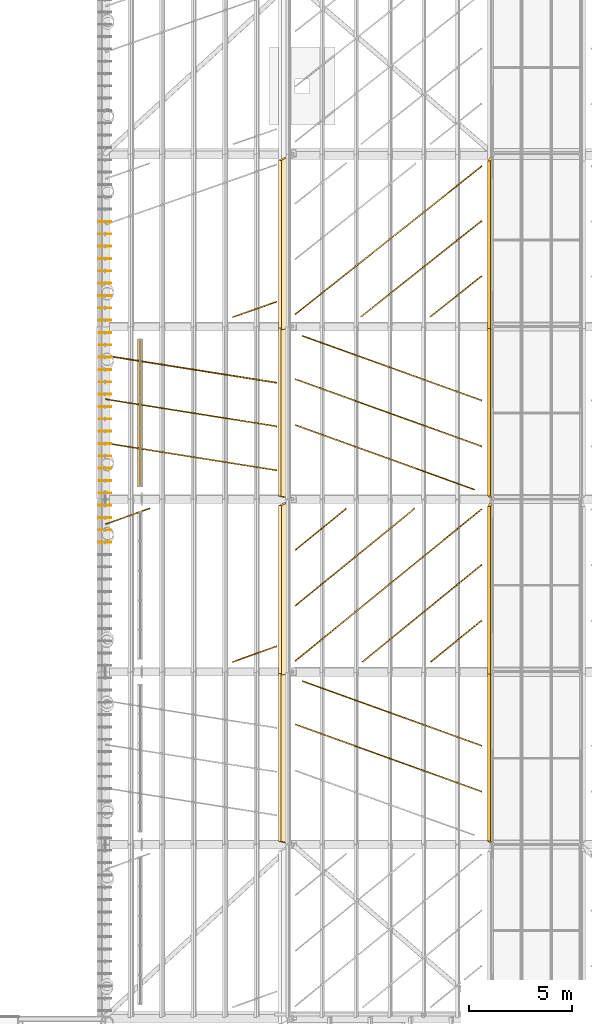
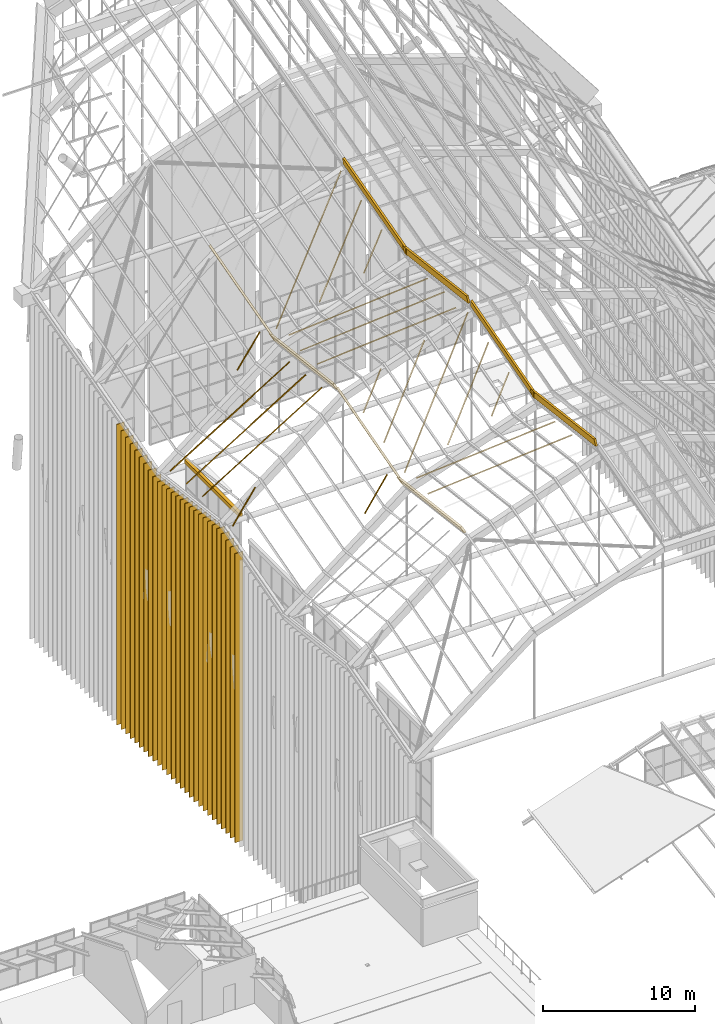
# One storey, part 102 of 126: 28 coverings, 27 shading devices.
"""IFC4 building model written with IfcOpenShell, lengths in metres."""

from ifc_helpers import new_model, si_unit, direction, frame, origin, origin_2d, place, context, subcontext, project, spatial, polyline, rectangle, outline, extrude, material, layer, layer_set, material_profile, profile_set, type_object, element, save


model = new_model("IFC4")

# Units and contexts
model_context = context("Model", 3, precision=1e-05, world=origin(), true_north=direction((0.0, 1.0)))
body_context = subcontext(model_context, "Body", "Model", "MODEL_VIEW")
ifc_project = project(units=[si_unit("LENGTHUNIT", "METRE"), si_unit("AREAUNIT", "SQUARE_METRE"), si_unit("VOLUMEUNIT", "CUBIC_METRE"), si_unit("PLANEANGLEUNIT", "RADIAN"), si_unit("MASSUNIT", "GRAM", prefix="KILO")], contexts=[model_context])

# Site, building, storey
site_placement = place(None, origin())
site = spatial("IfcSite", under=ifc_project, at=site_placement, CompositionType="ELEMENT")
building_placement = place(site_placement, origin())
building = spatial("IfcBuilding", under=site, at=building_placement, Name="Sava Quay Ferry Terminal", CompositionType="ELEMENT")
storey_placement = place(building_placement, frame((0.0, 0.0, 15.0)))
storey = spatial("IfcBuildingStorey", under=building, at=storey_placement, Name="L03", CompositionType="ELEMENT", Elevation=15.0)

# Coverings
ifc_material_1 = material(Name="Copper patinated")
ifc_layer_1 = layer(ifc_material_1, 0.25)
ifc_layer_set_1 = layer_set([ifc_layer_1], Name="Copper patinated")
covering_type_1 = type_object("IfcCoveringType", Name="Copper spandrel panel 250", PredefinedType="CLADDING", material=ifc_layer_set_1)
covering_1_placement = place(storey_placement, frame((43.699951171875, 76.199951171875, 11.75), z_axis=(0.0, 0.0, 1.0), x_axis=(0.0, 1.0, 0.0)))
element("IfcCovering", 1, at=covering_1_placement, inside=storey, type_object=covering_type_1, Name="Spandrel panel D-W", PredefinedType="CLADDING", context=body_context, shape_type="SweptSolid", body=[
    extrude(outline(polyline([(0.0, 0.0), (7.199951171875, 0.0), (7.199951171875, 0.302734375), (0.0, 0.302734375), (0.0, 0.0)])), frame((0.0, 0.125, 0.0), z_axis=(0.0, -1.0, 0.0), x_axis=(1.0, 0.0, 0.0)), (0.0, 0.0, 1.0), 0.25),
])
ifc_material_2 = material(Name="Steel S355", Category="steel")
ifc_material_profile_1 = material_profile(ifc_material_2, rectangle(XDim=0.14990234375, YDim=0.60009765625, at=origin_2d()), Name="Cap 150 x 600")
ifc_profile_set_1 = profile_set([ifc_material_profile_1], Name="Steel S355")
covering_type_2 = type_object("IfcCoveringType", Name="Crease capping 150x600", PredefinedType="MOLDING", material=ifc_profile_set_1)
covering_2_placement = place(storey_placement, frame((50.647216796875, 58.910400390625, 18.779052734375), z_axis=(0.0, 0.992379601397, -0.123218207788), x_axis=(-0.880257827598, -0.058466508152, -0.4708798407)))
element("IfcCovering", 2, at=covering_2_placement, inside=storey, type_object=covering_type_2, Name="Departure hall crease capping bay 2 crease 1", PredefinedType="MOLDING", context=body_context, shape_type="SweptSolid", body=[
    extrude(rectangle(XDim=0.14990234375, YDim=0.60009765625, at=origin_2d()), origin(), (0.0, 0.0, 1.0), 8.46435546875),
])
covering_3_placement = place(storey_placement, frame((60.733154296875, 58.923583984375, 22.25048828125), z_axis=(0.0, 0.992376512177, -0.123243085318), x_axis=(-0.986478668853, -0.020198273081, -0.162640295321)))
element("IfcCovering", 3, at=covering_3_placement, inside=storey, type_object=covering_type_2, Name="Departure hall crease capping bay 2 crease 2", PredefinedType="MOLDING", context=body_context, shape_type="SweptSolid", body=[
    extrude(rectangle(XDim=0.14990234375, YDim=0.60009765625, at=origin_2d()), origin(), (0.0, 0.0, 1.0), 8.464599609375),
])
covering_4_placement = place(storey_placement, frame((50.657958984375, 66.95654296875, 17.71484375), z_axis=(0.0, 0.962816232955, 0.270157179357), x_axis=(-0.885826064608, 0.125357642366, -0.446763522192)))
element("IfcCovering", 4, at=covering_4_placement, inside=storey, type_object=covering_type_2, Name="Departure hall crease capping bay 3 crease 1", PredefinedType="MOLDING", context=body_context, shape_type="SweptSolid", body=[
    extrude(rectangle(XDim=0.14990234375, YDim=0.60009765625, at=origin_2d()), origin(), (0.0, 0.0, 1.0), 8.724365234375),
])
covering_5_placement = place(storey_placement, frame((60.73779296875, 66.9287109375, 21.177978515625), z_axis=(0.0, 0.962818275279, 0.270149900588), x_axis=(-0.987217634461, 0.043055946895, -0.15345203696)))
element("IfcCovering", 5, at=covering_5_placement, inside=storey, type_object=covering_type_2, Name="Departure hall crease capping bay 3 crease 2", PredefinedType="MOLDING", context=body_context, shape_type="SweptSolid", body=[
    extrude(rectangle(XDim=0.14990234375, YDim=0.60009765625, at=origin_2d()), origin(), (0.0, 0.0, 1.0), 8.724609375),
])
covering_6_placement = place(storey_placement, frame((50.647216796875, 75.710205078125, 20.093017578125), z_axis=(0.0, 0.992394139896, -0.123101060513), x_axis=(-0.880255099686, -0.058411545244, -0.470891761299)))
element("IfcCovering", 6, at=covering_6_placement, inside=storey, type_object=covering_type_2, Name="Departure hall crease capping bay 4 crease 1", PredefinedType="MOLDING", context=body_context, shape_type="SweptSolid", body=[
    extrude(rectangle(XDim=0.14990234375, YDim=0.60009765625, at=origin_2d()), origin(), (0.0, 0.0, 1.0), 8.464599609375),
])
covering_7_placement = place(storey_placement, frame((60.733154296875, 75.7236328125, 23.564453125), z_axis=(0.0, 0.992393702798, -0.123104584187), x_axis=(-0.986478304019, -0.020175844507, -0.162645291964)))
element("IfcCovering", 7, at=covering_7_placement, inside=storey, type_object=covering_type_2, Name="Departure hall crease capping bay 4 crease 2", PredefinedType="MOLDING", context=body_context, shape_type="SweptSolid", body=[
    extrude(rectangle(XDim=0.14990234375, YDim=0.60009765625, at=origin_2d()), origin(), (0.0, 0.0, 1.0), 8.46435546875),
])
covering_8_placement = place(storey_placement, frame((50.6572265625, 83.76220703125, 19.031005859375), z_axis=(0.0, 0.964555206992, 0.26388113359), x_axis=(-0.885499005285, 0.122610065566, -0.448172158284)))
element("IfcCovering", 8, at=covering_8_placement, inside=storey, type_object=covering_type_2, Name="Departure hall crease capping bay 5 crease 1", PredefinedType="MOLDING", context=body_context, shape_type="SweptSolid", body=[
    extrude(rectangle(XDim=0.14990234375, YDim=0.60009765625, at=origin_2d()), origin(), (0.0, 0.0, 1.0), 8.708740234375),
])
covering_9_placement = place(storey_placement, frame((60.737548828125, 83.735107421875, 22.49462890625), z_axis=(0.0, 0.964553254836, 0.263888269132), x_axis=(-0.987174546341, 0.042128351011, -0.153985769138)))
element("IfcCovering", 9, at=covering_9_placement, inside=storey, type_object=covering_type_2, Name="Departure hall crease capping bay 5 crease 2", PredefinedType="MOLDING", context=body_context, shape_type="SweptSolid", body=[
    extrude(rectangle(XDim=0.14990234375, YDim=0.60009765625, at=origin_2d()), origin(), (0.0, 0.0, 1.0), 8.70849609375),
])
ifc_material_3 = material(Name="Zinc standing seam")
ifc_layer_2 = layer(ifc_material_3, 0.0400390625)
ifc_layer_set_2 = layer_set([ifc_layer_2], Name="Zinc standing seam")
covering_type_3 = type_object("IfcCoveringType", Name="Roof seam rib 60", PredefinedType="ROOFING", material=ifc_layer_set_2)
covering_10_placement = place(storey_placement, frame((51.258056640625, 64.664306640625, 18.004638671875), z_axis=(-0.323484138608, 0.116230231621, 0.939067913053), x_axis=(0.883392007867, -0.318539227373, 0.343731466499)))
element("IfcCovering", 10, at=covering_10_placement, inside=storey, type_object=covering_type_3, Name="Roof seam rib", PredefinedType="ROOFING", context=body_context, shape_type="SweptSolid", body=[
    extrude(outline(polyline([(0.0, 0.0), (10.272570897672582, 1.734723475976807e-16), (10.272634624447512, -0.05992641977137874), (6.372677493191731e-05, -0.05992641977137832), (0.0, 0.0)])), origin(), (0.0, 0.0, -1.0), 0.0400390625),
])
covering_11_placement = place(storey_placement, frame((51.614501953125, 66.768310546875, 17.8662109375), z_axis=(-0.323484868138, 0.116230493747, 0.939067629305), x_axis=(0.883388140448, -0.318549120262, 0.343732237791)))
element("IfcCovering", 11, at=covering_11_placement, inside=storey, type_object=covering_type_3, Name="Roof seam rib", PredefinedType="ROOFING", context=body_context, shape_type="SweptSolid", body=[
    extrude(outline(polyline([(0.0, 0.0), (9.869117910425805, 8.760353553682876e-17), (9.869182273493013, -0.059926419091355675), (6.43630672099195e-05, -0.05992641909135624), (0.0, 0.0)])), origin(), (0.0, 0.0, -1.0), 0.0400390625),
])
for number, where, z_axis, x_axis, name in (
    (12, (48.186767578125, 67.688232421875, 15.6591796875), (-0.60113236674, -0.215991283288, 0.769407332433), (0.724124379374, 0.26006063106, 0.638758445242), "Roof seam rib"),
    (13, (42.02099609375, 74.399169921875, 12.72509765625), (-0.60113236674, -0.215991283288, 0.769407332433), (0.724124379374, 0.26006063106, 0.638758445242), "Roof seam rib"),
):
    element("IfcCovering", number, at=place(storey_placement, frame(where, z_axis=z_axis, x_axis=x_axis)), inside=storey, type_object=covering_type_3, Name=name, PredefinedType="ROOFING", context=body_context, shape_type="SweptSolid", body=[
        extrude(outline(polyline([(0.0, 0.0), (2.9571679712332175, 8.649222831003112e-17), (2.957174884737407, -0.05992645325664395), (6.913504189427072e-06, -0.059926453256644044), (0.0, 0.0)])), origin(), (0.0, 0.0, -1.0), 0.0400390625),
    ])
covering_12_placement = place(storey_placement, frame((57.830810546875, 67.683349609375, 20.110595703125), z_axis=(-0.314106095751, -0.257220739828, 0.913879013664), x_axis=(0.708466258121, 0.577279163236, 0.405985626344)))
element("IfcCovering", 14, at=covering_12_placement, inside=storey, type_object=covering_type_3, Name="Roof seam rib", PredefinedType="ROOFING", context=body_context, shape_type="SweptSolid", body=[
    extrude(outline(polyline([(0.0, 0.0), (3.4949922497935186, -1.0842021724855044e-17), (3.4951967652358884, -0.06001852629964467), (6.35781466575662e-05, -0.06020772918177522), (0.0, 0.0)])), origin(), (0.0, 0.0, -1.0), 0.0400390625),
])
covering_13_placement = place(storey_placement, frame((54.506591796875, 67.683349609375, 18.966064453125), z_axis=(-0.314467945274, -0.256691682363, 0.913903327273), x_axis=(0.708466073823, 0.577317252194, 0.405931783136)))
element("IfcCovering", 15, at=covering_13_placement, inside=storey, type_object=covering_type_3, Name="Roof seam rib", PredefinedType="ROOFING", context=body_context, shape_type="SweptSolid", body=[
    extrude(outline(polyline([(0.0, 0.0), (8.187145592824745, 1.1505553454416173e-15), (8.187348334426195, -0.060018500034424174), (-0.00011117034337634543, -0.06005348796554834), (0.0, 0.0)])), origin(), (0.0, 0.0, -1.0), 0.0400390625),
])
covering_14_placement = place(storey_placement, frame((51.23681640625, 67.7275390625, 17.8525390625), z_axis=(-0.314478059046, -0.256699937962, 0.913897528298), x_axis=(0.708449749721, 0.577328100429, 0.405944844252)))
element("IfcCovering", 16, at=covering_14_placement, inside=storey, type_object=covering_type_3, Name="Roof seam rib", PredefinedType="ROOFING", context=body_context, shape_type="SweptSolid", body=[
    extrude(outline(polyline([(0.0, 0.0), (12.802729183794655, -6.880346986593011e-16), (12.802930800463336, -0.060018503821284395), (-0.00011229393926579304, -0.06005348587244559), (0.0, 0.0)])), origin(), (0.0, 0.0, -1.0), 0.0400390625),
])
covering_15_placement = place(storey_placement, frame((51.23681640625, 70.4365234375, 18.61279296875), z_axis=(-0.315201891408, -0.255792110828, 0.913902710189), x_axis=(0.708451199219, 0.577334946884, 0.405932577446)))
element("IfcCovering", 17, at=covering_15_placement, inside=storey, type_object=covering_type_3, Name="Roof seam rib", PredefinedType="ROOFING", context=body_context, shape_type="SweptSolid", body=[
    extrude(outline(polyline([(0.0, 0.0), (8.187286541609563, -6.808789643208968e-16), (8.18717398326582, -0.0600535258531847), (-0.00011255834374292867, -0.060053525853184006), (0.0, 0.0)])), origin(), (0.0, 0.0, -1.0), 0.0400390625),
])
covering_16_placement = place(storey_placement, frame((51.23681640625, 73.1455078125, 19.372802734375), z_axis=(-0.314884504303, -0.256205239722, 0.913896396803), x_axis=(0.70841734229, 0.577366075623, 0.405947390511)))
element("IfcCovering", 18, at=covering_16_placement, inside=storey, type_object=covering_type_3, Name="Roof seam rib", PredefinedType="ROOFING", context=body_context, shape_type="SweptSolid", body=[
    extrude(outline(polyline([(0.0, 0.0), (3.4948611253527404, -4.36879265403034e-16), (3.4947458342421354, -0.0600535125251691), (2.566740395125444e-05, -0.05986424333586581), (0.0, 0.0)])), origin(), (0.0, 0.0, -1.0), 0.0400390625),
])
covering_17_placement = place(storey_placement, frame((42.027587890625, 78.36279296875, 12.7060546875), z_axis=(-0.612708018485, 0.097476275668, 0.78427498989), x_axis=(0.774571758892, -0.122987282777, 0.620413344958)))
element("IfcCovering", 19, at=covering_17_placement, inside=storey, type_object=covering_type_3, Name="Roof seam rib", PredefinedType="ROOFING", context=body_context, shape_type="SweptSolid", body=[
    extrude(outline(polyline([(0.0, 0.0), (10.725491755517275, 0.0), (10.7255721255354, -0.059805881569292785), (-0.00010873441519704003, -0.05984419490723178), (0.0, 0.0)])), origin(), (0.0, 0.0, -1.0), 0.0400390625),
])
covering_18_placement = place(storey_placement, frame((42.027587890625, 80.4892578125, 12.4423828125), z_axis=(-0.612770145315, 0.097084981871, 0.784274987046), x_axis=(0.774571759758, -0.122987280117, 0.620413344404)))
element("IfcCovering", 20, at=covering_18_placement, inside=storey, type_object=covering_type_3, Name="Roof seam rib", PredefinedType="ROOFING", context=body_context, shape_type="SweptSolid", body=[
    extrude(outline(polyline([(0.0, 0.0), (10.725491755517222, 7.37257477290143e-18), (10.725602151561585, -0.06004703151626244), (-7.870838917158757e-05, -0.060085285585065075), (0.0, 0.0)])), origin(), (0.0, 0.0, -1.0), 0.0400390625),
])
covering_19_placement = place(storey_placement, frame((42.027587890625, 82.615478515625, 12.1787109375), z_axis=(-0.612740013981, 0.097280373354, 0.78427431695), x_axis=(0.774571080919, -0.122987173739, 0.620414213005)))
element("IfcCovering", 21, at=covering_19_placement, inside=storey, type_object=covering_type_3, Name="Roof seam rib", PredefinedType="ROOFING", context=body_context, shape_type="SweptSolid", body=[
    extrude(outline(polyline([(0.0, 0.0), (10.725491755593486, -1.2118669782956726e-16), (10.725572125459186, -0.059805895237409985), (-7.870823663930215e-05, -0.06008529919906046), (0.0, 0.0)])), origin(), (0.0, 0.0, -1.0), 0.0400390625),
])
covering_20_placement = place(storey_placement, frame((51.258056640625, 79.230712890625, 19.596435546875), z_axis=(-0.323465862055, 0.116223664721, 0.939075021414), x_axis=(0.883488541096, -0.318292269613, 0.343712130797)))
element("IfcCovering", 22, at=covering_20_placement, inside=storey, type_object=covering_type_3, Name="Roof seam rib", PredefinedType="ROOFING", context=body_context, shape_type="SweptSolid", body=[
    extrude(outline(polyline([(0.0, 0.0), (9.873246776696483, 2.3310346708438345e-17), (9.87329461980428, -0.05992643455733313), (4.784310779710685e-05, -0.059926434557333055), (0.0, 0.0)])), origin(), (0.0, 0.0, -1.0), 0.0400390625),
])
covering_21_placement = place(storey_placement, frame((51.258056640625, 81.462890625, 19.319580078125), z_axis=(-0.323454258751, 0.116219495569, 0.939079534089), x_axis=(0.883493889663, -0.318290736521, 0.343699802113)))
element("IfcCovering", 23, at=covering_21_placement, inside=storey, type_object=covering_type_3, Name="Roof seam rib", PredefinedType="ROOFING", context=body_context, shape_type="SweptSolid", body=[
    extrude(outline(polyline([(0.0, 0.0), (10.271386296409156, 4.550396517921662e-16), (10.27143394467436, -0.05992643471257118), (4.7648265202704376e-05, -0.05992643471257162), (0.0, 0.0)])), origin(), (0.0, 0.0, -1.0), 0.0400390625),
])
covering_22_placement = place(storey_placement, frame((51.60986328125, 83.568115234375, 19.1796875), z_axis=(-0.323447879804, 0.116217203566, 0.939082014866), x_axis=(0.883503003361, -0.318272752001, 0.343693029296)))
element("IfcCovering", 24, at=covering_22_placement, inside=storey, type_object=covering_type_3, Name="Roof seam rib", PredefinedType="ROOFING", context=body_context, shape_type="SweptSolid", body=[
    extrude(outline(polyline([(0.0, 0.0), (9.873085159242624, 1.7683337433238577e-16), (9.873131608567178, -0.05992643565387095), (4.6449324553082816e-05, -0.059926435653870944), (0.0, 0.0)])), origin(), (0.0, 0.0, -1.0), 0.0400390625),
])
covering_23_placement = place(storey_placement, frame((48.2021484375, 84.48828125, 16.981689453125), z_axis=(-0.602037155286, -0.210194006802, 0.770304967633), x_axis=(0.727018544127, 0.254585912604, 0.637675504939)))
element("IfcCovering", 25, at=covering_23_placement, inside=storey, type_object=covering_type_3, Name="Roof seam rib", PredefinedType="ROOFING", context=body_context, shape_type="SweptSolid", body=[
    extrude(outline(polyline([(0.0, 0.0), (2.9239039898587773, 1.919037845299343e-17), (2.923861160354421, -0.05999353832201857), (-4.2829504356996576e-05, -0.05999353832201865), (0.0, 0.0)])), origin(), (0.0, 0.0, -1.0), 0.0400390625),
])
covering_24_placement = place(storey_placement, frame((57.816162109375, 84.4833984375, 21.416015625), z_axis=(-0.31515429108, -0.250486267716, 0.915387569557), x_axis=(0.716691945827, 0.569462079601, 0.402573713354)))
element("IfcCovering", 26, at=covering_24_placement, inside=storey, type_object=covering_type_3, Name="Roof seam rib", PredefinedType="ROOFING", context=body_context, shape_type="SweptSolid", body=[
    extrude(outline(polyline([(0.0, 0.0), (3.475631580524171, -1.1142887827719772e-16), (3.4755699805115903, -0.06012897648617532), (7.742881544747088e-05, -0.05993783299700268), (0.0, 0.0)])), origin(), (0.0, 0.0, -1.0), 0.0400390625),
])
covering_25_placement = place(storey_placement, frame((54.440185546875, 84.4833984375, 20.253662109375), z_axis=(-0.315135144881, -0.250471050217, 0.915398325028), x_axis=(0.716719499255, 0.569444691902, 0.402549254443)))
element("IfcCovering", 27, at=covering_25_placement, inside=storey, type_object=covering_type_3, Name="Roof seam rib", PredefinedType="ROOFING", context=body_context, shape_type="SweptSolid", body=[
    extrude(outline(polyline([(0.0, 0.0), (8.185815692454504, -6.540178554975684e-16), (8.185755940952813, -0.060128978352440784), (7.927308129259888e-05, -0.05993783058711938), (0.0, 0.0)])), origin(), (0.0, 0.0, -1.0), 0.0400390625),
])
covering_26_placement = place(storey_placement, frame((51.236572265625, 84.6201171875, 19.187744140625), z_axis=(-0.315555588115, -0.249985595779, 0.915386187744), x_axis=(0.716706647864, 0.569441593441, 0.402576517654)))
element("IfcCovering", 28, at=covering_26_placement, inside=storey, type_object=covering_type_3, Name="Roof seam rib", PredefinedType="ROOFING", context=body_context, shape_type="SweptSolid", body=[
    extrude(outline(polyline([(0.0, 0.0), (12.655888142531838, -7.238133703513228e-16), (12.655828056982298, -0.06012898526040528), (-9.603893196886981e-05, -0.05978596867449555), (0.0, 0.0)])), origin(), (0.0, 0.0, -1.0), 0.0400390625),
])

# Shading devices
ifc_material_4 = material(Name="Aluminium bronze anodised", Category="aluminium")
ifc_material_profile_2 = material_profile(ifc_material_4, rectangle(XDim=0.0400390625, YDim=0.60009765625, at=origin_2d()), Name="Vertical brise-soleil blade 40x600")
ifc_profile_set_2 = profile_set([ifc_material_profile_2], Name="Aluminium bronze anodised")
shading_device_type = type_object("IfcShadingDeviceType", Name="Vertical brise-soleil blade 40x600", PredefinedType="USERDEFINED", material=ifc_profile_set_2)
shading_device_1_placement = place(storey_placement, frame((42.0, 73.5, -12.10009765625), z_axis=(0.0, 0.0, 1.0), x_axis=(0.0, 1.0, 0.0)))
element("IfcShadingDevice", 29, at=shading_device_1_placement, inside=storey, type_object=shading_device_type, Name="Brise-soleil blade D-W 39", ObjectType="BRISE-SOLEIL BLADE", PredefinedType="USERDEFINED", context=body_context, shape_type="SweptSolid", body=[
    extrude(rectangle(XDim=0.0400390625, YDim=0.60009765625, at=origin_2d()), origin(), (0.0, 0.0, 1.0), 23.2333984375),
])
shading_device_2_placement = place(storey_placement, frame((42.0, 74.10009765625, -12.10009765625), z_axis=(0.0, 0.0, 1.0), x_axis=(0.0, 1.0, 0.0)))
element("IfcShadingDevice", 30, at=shading_device_2_placement, inside=storey, type_object=shading_device_type, Name="Brise-soleil blade D-W 40", ObjectType="BRISE-SOLEIL BLADE", PredefinedType="USERDEFINED", context=body_context, shape_type="SweptSolid", body=[
    extrude(rectangle(XDim=0.0400390625, YDim=0.60009765625, at=origin_2d()), origin(), (0.0, 0.0, 1.0), 23.401611328125),
])
shading_device_3_placement = place(storey_placement, frame((42.0, 74.699951171875, -12.10009765625), z_axis=(0.0, 0.0, 1.0), x_axis=(0.0, 1.0, 0.0)))
element("IfcShadingDevice", 31, at=shading_device_3_placement, inside=storey, type_object=shading_device_type, Name="Brise-soleil blade D-W 41", ObjectType="BRISE-SOLEIL BLADE", PredefinedType="USERDEFINED", context=body_context, shape_type="SweptSolid", body=[
    extrude(rectangle(XDim=0.0400390625, YDim=0.60009765625, at=origin_2d()), origin(), (0.0, 0.0, 1.0), 23.570068359375),
])
shading_device_4_placement = place(storey_placement, frame((42.0, 75.300048828125, -12.10009765625), z_axis=(0.0, 0.0, 1.0), x_axis=(0.0, 1.0, 0.0)))
element("IfcShadingDevice", 32, at=shading_device_4_placement, inside=storey, type_object=shading_device_type, Name="Brise-soleil blade D-W 42", ObjectType="BRISE-SOLEIL BLADE", PredefinedType="USERDEFINED", context=body_context, shape_type="SweptSolid", body=[
    extrude(rectangle(XDim=0.0400390625, YDim=0.60009765625, at=origin_2d()), origin(), (0.0, 0.0, 1.0), 23.738525390625),
])
shading_device_5_placement = place(storey_placement, frame((42.0, 75.89990234375, -12.10009765625), z_axis=(0.0, 0.0, 1.0), x_axis=(0.0, 1.0, 0.0)))
element("IfcShadingDevice", 33, at=shading_device_5_placement, inside=storey, type_object=shading_device_type, Name="Brise-soleil blade D-W 43", ObjectType="BRISE-SOLEIL BLADE", PredefinedType="USERDEFINED", context=body_context, shape_type="SweptSolid", body=[
    extrude(rectangle(XDim=0.0400390625, YDim=0.60009765625, at=origin_2d()), origin(), (0.0, 0.0, 1.0), 23.785400390625),
])
shading_device_6_placement = place(storey_placement, frame((42.0, 76.5, -12.10009765625), z_axis=(0.0, 0.0, 1.0), x_axis=(0.0, 1.0, 0.0)))
element("IfcShadingDevice", 34, at=shading_device_6_placement, inside=storey, type_object=shading_device_type, Name="Brise-soleil blade D-W 44", ObjectType="BRISE-SOLEIL BLADE", PredefinedType="USERDEFINED", context=body_context, shape_type="SweptSolid", body=[
    extrude(rectangle(XDim=0.0400390625, YDim=0.60009765625, at=origin_2d()), origin(), (0.0, 0.0, 1.0), 23.7109375),
])
shading_device_7_placement = place(storey_placement, frame((42.0, 77.10009765625, -12.10009765625), z_axis=(0.0, 0.0, 1.0), x_axis=(0.0, 1.0, 0.0)))
element("IfcShadingDevice", 35, at=shading_device_7_placement, inside=storey, type_object=shading_device_type, Name="Brise-soleil blade D-W 45", ObjectType="BRISE-SOLEIL BLADE", PredefinedType="USERDEFINED", context=body_context, shape_type="SweptSolid", body=[
    extrude(rectangle(XDim=0.0400390625, YDim=0.60009765625, at=origin_2d()), origin(), (0.0, 0.0, 1.0), 23.636474609375),
])
shading_device_8_placement = place(storey_placement, frame((42.0, 77.699951171875, -12.10009765625), z_axis=(0.0, 0.0, 1.0), x_axis=(0.0, 1.0, 0.0)))
element("IfcShadingDevice", 36, at=shading_device_8_placement, inside=storey, type_object=shading_device_type, Name="Brise-soleil blade D-W 46", ObjectType="BRISE-SOLEIL BLADE", PredefinedType="USERDEFINED", context=body_context, shape_type="SweptSolid", body=[
    extrude(rectangle(XDim=0.0400390625, YDim=0.60009765625, at=origin_2d()), origin(), (0.0, 0.0, 1.0), 23.56201171875),
])
shading_device_9_placement = place(storey_placement, frame((42.0, 78.300048828125, -12.10009765625), z_axis=(0.0, 0.0, 1.0), x_axis=(0.0, 1.0, 0.0)))
element("IfcShadingDevice", 37, at=shading_device_9_placement, inside=storey, type_object=shading_device_type, Name="Brise-soleil blade D-W 47", ObjectType="BRISE-SOLEIL BLADE", PredefinedType="USERDEFINED", context=body_context, shape_type="SweptSolid", body=[
    extrude(rectangle(XDim=0.0400390625, YDim=0.60009765625, at=origin_2d()), origin(), (0.0, 0.0, 1.0), 23.487548828125),
])
shading_device_10_placement = place(storey_placement, frame((42.0, 78.89990234375, -12.10009765625), z_axis=(0.0, 0.0, 1.0), x_axis=(0.0, 1.0, 0.0)))
element("IfcShadingDevice", 38, at=shading_device_10_placement, inside=storey, type_object=shading_device_type, Name="Brise-soleil blade D-W 48", ObjectType="BRISE-SOLEIL BLADE", PredefinedType="USERDEFINED", context=body_context, shape_type="SweptSolid", body=[
    extrude(rectangle(XDim=0.0400390625, YDim=0.60009765625, at=origin_2d()), origin(), (0.0, 0.0, 1.0), 23.413330078125),
])
shading_device_11_placement = place(storey_placement, frame((42.0, 79.5, -12.10009765625), z_axis=(0.0, 0.0, 1.0), x_axis=(0.0, 1.0, 0.0)))
element("IfcShadingDevice", 39, at=shading_device_11_placement, inside=storey, type_object=shading_device_type, Name="Brise-soleil blade D-W 49", ObjectType="BRISE-SOLEIL BLADE", PredefinedType="USERDEFINED", context=body_context, shape_type="SweptSolid", body=[
    extrude(rectangle(XDim=0.0400390625, YDim=0.60009765625, at=origin_2d()), origin(), (0.0, 0.0, 1.0), 23.3388671875),
])
shading_device_12_placement = place(storey_placement, frame((42.0, 80.10009765625, -12.10009765625), z_axis=(0.0, 0.0, 1.0), x_axis=(0.0, 1.0, 0.0)))
element("IfcShadingDevice", 40, at=shading_device_12_placement, inside=storey, type_object=shading_device_type, Name="Brise-soleil blade D-W 50", ObjectType="BRISE-SOLEIL BLADE", PredefinedType="USERDEFINED", context=body_context, shape_type="SweptSolid", body=[
    extrude(rectangle(XDim=0.0400390625, YDim=0.60009765625, at=origin_2d()), origin(), (0.0, 0.0, 1.0), 23.264404296875),
])
shading_device_13_placement = place(storey_placement, frame((42.0, 80.699951171875, -12.10009765625), z_axis=(0.0, 0.0, 1.0), x_axis=(0.0, 1.0, 0.0)))
element("IfcShadingDevice", 41, at=shading_device_13_placement, inside=storey, type_object=shading_device_type, Name="Brise-soleil blade D-W 51", ObjectType="BRISE-SOLEIL BLADE", PredefinedType="USERDEFINED", context=body_context, shape_type="SweptSolid", body=[
    extrude(rectangle(XDim=0.0400390625, YDim=0.60009765625, at=origin_2d()), origin(), (0.0, 0.0, 1.0), 23.18994140625),
])
shading_device_14_placement = place(storey_placement, frame((42.0, 81.300048828125, -12.10009765625), z_axis=(0.0, 0.0, 1.0), x_axis=(0.0, 1.0, 0.0)))
element("IfcShadingDevice", 42, at=shading_device_14_placement, inside=storey, type_object=shading_device_type, Name="Brise-soleil blade D-W 52", ObjectType="BRISE-SOLEIL BLADE", PredefinedType="USERDEFINED", context=body_context, shape_type="SweptSolid", body=[
    extrude(rectangle(XDim=0.0400390625, YDim=0.60009765625, at=origin_2d()), origin(), (0.0, 0.0, 1.0), 23.115478515625),
])
shading_device_15_placement = place(storey_placement, frame((42.0, 81.89990234375, -12.10009765625), z_axis=(0.0, 0.0, 1.0), x_axis=(0.0, 1.0, 0.0)))
element("IfcShadingDevice", 43, at=shading_device_15_placement, inside=storey, type_object=shading_device_type, Name="Brise-soleil blade D-W 53", ObjectType="BRISE-SOLEIL BLADE", PredefinedType="USERDEFINED", context=body_context, shape_type="SweptSolid", body=[
    extrude(rectangle(XDim=0.0400390625, YDim=0.60009765625, at=origin_2d()), origin(), (0.0, 0.0, 1.0), 23.041015625),
])
shading_device_16_placement = place(storey_placement, frame((42.0, 82.5, -12.10009765625), z_axis=(0.0, 0.0, 1.0), x_axis=(0.0, 1.0, 0.0)))
element("IfcShadingDevice", 44, at=shading_device_16_placement, inside=storey, type_object=shading_device_type, Name="Brise-soleil blade D-W 54", ObjectType="BRISE-SOLEIL BLADE", PredefinedType="USERDEFINED", context=body_context, shape_type="SweptSolid", body=[
    extrude(rectangle(XDim=0.0400390625, YDim=0.60009765625, at=origin_2d()), origin(), (0.0, 0.0, 1.0), 22.966552734375),
])
shading_device_17_placement = place(storey_placement, frame((42.0, 83.10009765625, -12.10009765625), z_axis=(0.0, 0.0, 1.0), x_axis=(0.0, 1.0, 0.0)))
element("IfcShadingDevice", 45, at=shading_device_17_placement, inside=storey, type_object=shading_device_type, Name="Brise-soleil blade D-W 55", ObjectType="BRISE-SOLEIL BLADE", PredefinedType="USERDEFINED", context=body_context, shape_type="SweptSolid", body=[
    extrude(rectangle(XDim=0.0400390625, YDim=0.60009765625, at=origin_2d()), origin(), (0.0, 0.0, 1.0), 22.892333984375),
])
shading_device_18_placement = place(storey_placement, frame((42.0, 83.699951171875, -12.10009765625), z_axis=(0.0, 0.0, 1.0), x_axis=(0.0, 1.0, 0.0)))
element("IfcShadingDevice", 46, at=shading_device_18_placement, inside=storey, type_object=shading_device_type, Name="Brise-soleil blade D-W 56", ObjectType="BRISE-SOLEIL BLADE", PredefinedType="USERDEFINED", context=body_context, shape_type="SweptSolid", body=[
    extrude(rectangle(XDim=0.0400390625, YDim=0.60009765625, at=origin_2d()), origin(), (0.0, 0.0, 1.0), 22.81787109375),
])
shading_device_19_placement = place(storey_placement, frame((42.0, 84.300048828125, -12.10009765625), z_axis=(0.0, 0.0, 1.0), x_axis=(0.0, 1.0, 0.0)))
element("IfcShadingDevice", 47, at=shading_device_19_placement, inside=storey, type_object=shading_device_type, Name="Brise-soleil blade D-W 57", ObjectType="BRISE-SOLEIL BLADE", PredefinedType="USERDEFINED", context=body_context, shape_type="SweptSolid", body=[
    extrude(rectangle(XDim=0.0400390625, YDim=0.60009765625, at=origin_2d()), origin(), (0.0, 0.0, 1.0), 22.862548828125),
])
shading_device_20_placement = place(storey_placement, frame((42.0, 84.89990234375, -12.10009765625), z_axis=(0.0, 0.0, 1.0), x_axis=(0.0, 1.0, 0.0)))
element("IfcShadingDevice", 48, at=shading_device_20_placement, inside=storey, type_object=shading_device_type, Name="Brise-soleil blade D-W 58", ObjectType="BRISE-SOLEIL BLADE", PredefinedType="USERDEFINED", context=body_context, shape_type="SweptSolid", body=[
    extrude(rectangle(XDim=0.0400390625, YDim=0.60009765625, at=origin_2d()), origin(), (0.0, 0.0, 1.0), 23.02685546875),
])
shading_device_21_placement = place(storey_placement, frame((42.0, 85.5, -12.10009765625), z_axis=(0.0, 0.0, 1.0), x_axis=(0.0, 1.0, 0.0)))
element("IfcShadingDevice", 49, at=shading_device_21_placement, inside=storey, type_object=shading_device_type, Name="Brise-soleil blade D-W 59", ObjectType="BRISE-SOLEIL BLADE", PredefinedType="USERDEFINED", context=body_context, shape_type="SweptSolid", body=[
    extrude(rectangle(XDim=0.0400390625, YDim=0.60009765625, at=origin_2d()), origin(), (0.0, 0.0, 1.0), 23.19091796875),
])
shading_device_22_placement = place(storey_placement, frame((42.0, 86.10009765625, -12.10009765625), z_axis=(0.0, 0.0, 1.0), x_axis=(0.0, 1.0, 0.0)))
element("IfcShadingDevice", 50, at=shading_device_22_placement, inside=storey, type_object=shading_device_type, Name="Brise-soleil blade D-W 60", ObjectType="BRISE-SOLEIL BLADE", PredefinedType="USERDEFINED", context=body_context, shape_type="SweptSolid", body=[
    extrude(rectangle(XDim=0.0400390625, YDim=0.60009765625, at=origin_2d()), origin(), (0.0, 0.0, 1.0), 23.35498046875),
])
shading_device_23_placement = place(storey_placement, frame((42.0, 86.699951171875, -12.10009765625), z_axis=(0.0, 0.0, 1.0), x_axis=(0.0, 1.0, 0.0)))
element("IfcShadingDevice", 51, at=shading_device_23_placement, inside=storey, type_object=shading_device_type, Name="Brise-soleil blade D-W 61", ObjectType="BRISE-SOLEIL BLADE", PredefinedType="USERDEFINED", context=body_context, shape_type="SweptSolid", body=[
    extrude(rectangle(XDim=0.0400390625, YDim=0.60009765625, at=origin_2d()), origin(), (0.0, 0.0, 1.0), 23.519287109375),
])
shading_device_24_placement = place(storey_placement, frame((42.0, 87.300048828125, -12.10009765625), z_axis=(0.0, 0.0, 1.0), x_axis=(0.0, 1.0, 0.0)))
element("IfcShadingDevice", 52, at=shading_device_24_placement, inside=storey, type_object=shading_device_type, Name="Brise-soleil blade D-W 62", ObjectType="BRISE-SOLEIL BLADE", PredefinedType="USERDEFINED", context=body_context, shape_type="SweptSolid", body=[
    extrude(rectangle(XDim=0.0400390625, YDim=0.60009765625, at=origin_2d()), origin(), (0.0, 0.0, 1.0), 23.683349609375),
])
shading_device_25_placement = place(storey_placement, frame((42.0, 87.89990234375, -12.10009765625), z_axis=(0.0, 0.0, 1.0), x_axis=(0.0, 1.0, 0.0)))
element("IfcShadingDevice", 53, at=shading_device_25_placement, inside=storey, type_object=shading_device_type, Name="Brise-soleil blade D-W 63", ObjectType="BRISE-SOLEIL BLADE", PredefinedType="USERDEFINED", context=body_context, shape_type="SweptSolid", body=[
    extrude(rectangle(XDim=0.0400390625, YDim=0.60009765625, at=origin_2d()), origin(), (0.0, 0.0, 1.0), 23.847412109375),
])
shading_device_26_placement = place(storey_placement, frame((42.0, 88.5, -12.10009765625), z_axis=(0.0, 0.0, 1.0), x_axis=(0.0, 1.0, 0.0)))
element("IfcShadingDevice", 54, at=shading_device_26_placement, inside=storey, type_object=shading_device_type, Name="Brise-soleil blade D-W 64", ObjectType="BRISE-SOLEIL BLADE", PredefinedType="USERDEFINED", context=body_context, shape_type="SweptSolid", body=[
    extrude(rectangle(XDim=0.0400390625, YDim=0.60009765625, at=origin_2d()), origin(), (0.0, 0.0, 1.0), 24.01171875),
])
shading_device_27_placement = place(storey_placement, frame((42.0, 89.10009765625, -12.10009765625), z_axis=(0.0, 0.0, 1.0), x_axis=(0.0, 1.0, 0.0)))
element("IfcShadingDevice", 55, at=shading_device_27_placement, inside=storey, type_object=shading_device_type, Name="Brise-soleil blade D-W 65", ObjectType="BRISE-SOLEIL BLADE", PredefinedType="USERDEFINED", context=body_context, shape_type="SweptSolid", body=[
    extrude(rectangle(XDim=0.0400390625, YDim=0.60009765625, at=origin_2d()), origin(), (0.0, 0.0, 1.0), 24.17578125),
])

save(model, "model.ifc")
